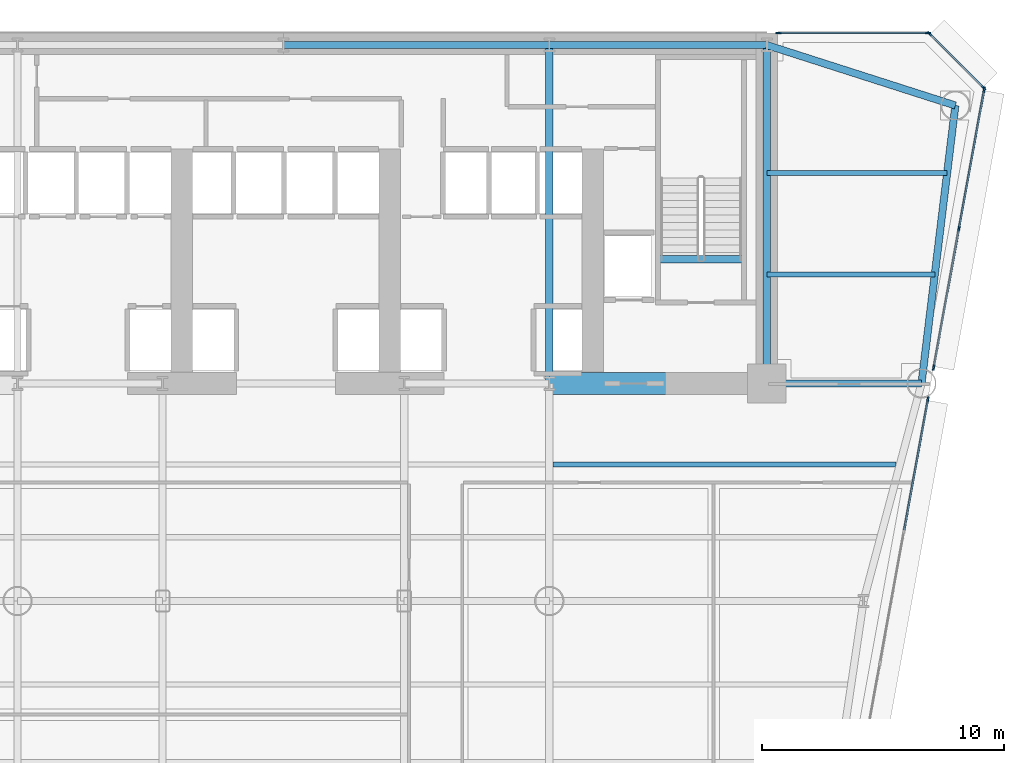
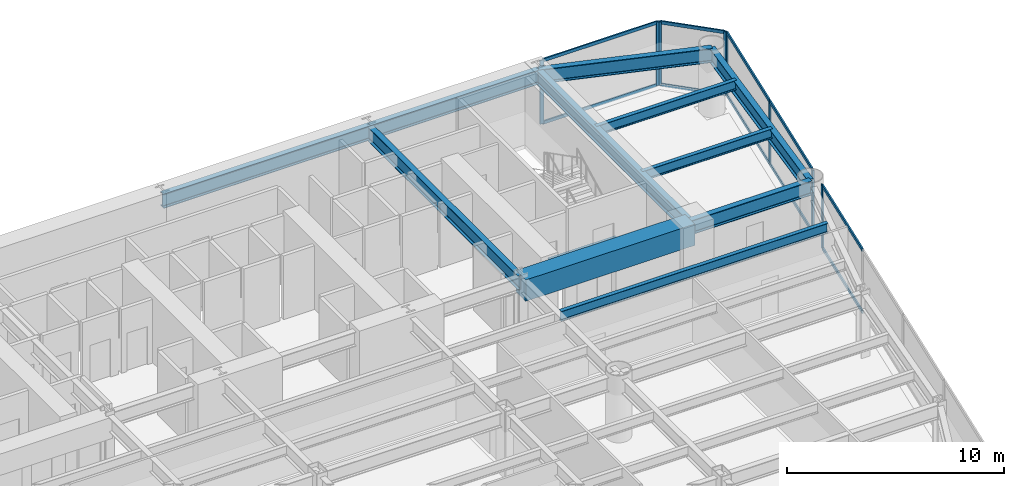
# One storey, part 6 of 14: 18 members, 12 beams, 4 elements without a shape of their own.
"""IFC4 building model written with IfcOpenShell, lengths in metres."""

from ifc_helpers import new_model, si_unit, direction, frame, origin, origin_2d, place, context, subcontext, project, spatial, rectangle, i_section, extrude, source, transform, mapped, material, layer, layer_set, material_profile, profile_set, type_object, element, aggregate, save


model = new_model("IFC4")

# Units and contexts
model_context = context("Model", 3, precision=1e-05, world=origin(), true_north=direction((0.0, 1.0)))
body_context = subcontext(model_context, "Body", "Model", "MODEL_VIEW")
ifc_project = project(units=[si_unit("LENGTHUNIT", "METRE"), si_unit("AREAUNIT", "SQUARE_METRE"), si_unit("VOLUMEUNIT", "CUBIC_METRE"), si_unit("PLANEANGLEUNIT", "RADIAN"), si_unit("MASSUNIT", "GRAM", prefix="KILO")], contexts=[model_context])

# Site, building, storey
site_placement = place(None, origin())
site = spatial("IfcSite", under=ifc_project, at=site_placement, CompositionType="ELEMENT")
building_placement = place(site_placement, origin())
building = spatial("IfcBuilding", under=site, at=building_placement, Name="Vaeldorn Concourse Tower", CompositionType="ELEMENT")
storey_placement = place(building_placement, frame((0.0, 0.0, 30.199951171875)))
storey = spatial("IfcBuildingStorey", under=building, at=storey_placement, Name="L07", CompositionType="ELEMENT", Elevation=30.199951171875)

# Beams
ifc_material_1 = material(Name="Concrete C60/75", Category="concrete")
ifc_material_profile_1 = material_profile(ifc_material_1, rectangle(XDim=0.89990234375, YDim=1.199951171875, at=origin_2d()), Name="RC 900x1200")
ifc_profile_set_1 = profile_set([ifc_material_profile_1], Name="Concrete C60/75")
beam_type_1 = type_object("IfcBeamType", Name="BM-CB-RC900", PredefinedType="BEAM", material=ifc_profile_set_1)
shared_shape_1 = source(origin(), body_context, "Body", "SweptSolid", [
    extrude(rectangle(XDim=0.89990234375, YDim=1.199951171875, at=origin_2d()), origin(), (0.0, 0.0, 1.0), 9.0),
])
beam_1_placement = place(storey_placement, frame((45.0, 36.5, 2.97998046875), z_axis=(1.0, 0.0, 0.0), x_axis=(0.0, 1.0, 0.0)))
element("IfcBeam", 1, at=beam_1_placement, inside=storey, type_object=beam_type_1, Name="Core Coupling Beam L07-2", PredefinedType="BEAM", context=body_context, shape_type="MappedRepresentation", body=[
    mapped(shared_shape_1, transform((0.0, 0.0, 0.0), scale=1.0)),
])
ifc_material_2 = material(Name="Steel S355", Category="steel")
ifc_material_profile_2 = material_profile(ifc_material_2, i_section(OverallWidth=0.300048828125, OverallDepth=0.340087890625, WebThickness=0.011962890625, FlangeThickness=0.021484375, FilletRadius=0.027099609375, at=origin_2d()), Name="HEB 340")
ifc_profile_set_2 = profile_set([ifc_material_profile_2], Name="Steel S355")
beam_type_2 = type_object("IfcBeamType", Name="BM-ST-TRIM", PredefinedType="BEAM", material=ifc_profile_set_2)
shared_shape_2 = source(origin(), body_context, "Body", "SweptSolid", [
    extrude(i_section(OverallWidth=0.300048828125, OverallDepth=0.340087890625, WebThickness=0.011962890625, FlangeThickness=0.021484375, FilletRadius=0.027099609375, at=origin_2d()), origin(), (0.0, 0.0, 1.0), 3.590087890625),
])
beam_2_placement = place(storey_placement, frame((49.47998046875, 41.639892578125, -0.389892578125), z_axis=(1.0, 0.0, 0.0), x_axis=(0.0, 1.0, 0.0)))
element("IfcBeam", 2, at=beam_2_placement, inside=storey, type_object=beam_type_2, Name="Stair Landing Trimmer Beam ST-2 L07", PredefinedType="BEAM", context=body_context, shape_type="MappedRepresentation", body=[
    mapped(shared_shape_2, transform((0.0, 0.0, 0.0), scale=1.0)),
])
ifc_material_profile_3 = material_profile(ifc_material_2, i_section(OverallWidth=0.300048828125, OverallDepth=0.800048828125, WebThickness=0.017578125, FlangeThickness=0.032958984375, FilletRadius=0.030029296875, at=origin_2d()), Name="HEB 800")
ifc_profile_set_3 = profile_set([ifc_material_profile_3], Name="Steel S355")
beam_type_3 = type_object("IfcBeamType", Name="BM-PG-HEB800", PredefinedType="BEAM", material=ifc_profile_set_3)
shared_shape_3 = source(origin(), body_context, "Body", "SweptSolid", [
    extrude(i_section(OverallWidth=0.300048828125, OverallDepth=0.800048828125, WebThickness=0.017578125, FlangeThickness=0.032958984375, FilletRadius=0.030029296875, at=origin_2d()), origin(), (0.0, 0.0, 1.0), 9.0),
])
beam_3_placement = place(storey_placement, frame((45.0, 50.5, 3.179931640625), z_axis=(1.0, 0.0, 0.0), x_axis=(0.0, 1.0, 0.0)))
element("IfcBeam", 3, at=beam_3_placement, inside=storey, type_object=beam_type_3, Name="Beam BM-L07-C-HC4-C-HC5", PredefinedType="BEAM", context=body_context, shape_type="MappedRepresentation", body=[
    mapped(shared_shape_3, transform((0.0, 0.0, 0.0), scale=1.0)),
])
shared_shape_4 = source(origin(), body_context, "Body", "SweptSolid", [
    extrude(i_section(OverallWidth=0.300048828125, OverallDepth=0.800048828125, WebThickness=0.017578125, FlangeThickness=0.032958984375, FilletRadius=0.030029296875, at=origin_2d()), origin(), (0.0, 0.0, 1.0), 11.0),
])
beam_4_placement = place(storey_placement, frame((34.0, 50.5, 3.179931640625), z_axis=(1.0, 0.0, 0.0), x_axis=(0.0, 1.0, 0.0)))
element("IfcBeam", 4, at=beam_4_placement, inside=storey, type_object=beam_type_3, Name="Beam BM-L07-C-HC3-C-HC4", PredefinedType="BEAM", context=body_context, shape_type="MappedRepresentation", body=[
    mapped(shared_shape_4, transform((0.0, 0.0, 0.0), scale=1.0)),
])
shared_shape_5 = source(origin(), body_context, "Body", "SweptSolid", [
    extrude(i_section(OverallWidth=0.300048828125, OverallDepth=0.800048828125, WebThickness=0.017578125, FlangeThickness=0.032958984375, FilletRadius=0.030029296875, at=origin_2d()), origin(), (0.0, 0.0, 1.0), 14.0),
])
for number, where, z_axis, x_axis, name in (
    (5, (45.0, 36.5, 3.179931640625), (0.0, 1.0, 0.0), (-1.0, 0.0, 0.0), "Beam BM-L07-C-FC5-C-HC4"),
    (6, (54.0, 36.5, 3.179931640625), (0.0, 1.0, 0.0), (-1.0, 0.0, 0.0), "Beam BM-L07-C-FC6-C-HC5"),
):
    element("IfcBeam", number, at=place(storey_placement, frame(where, z_axis=z_axis, x_axis=x_axis)), inside=storey, type_object=beam_type_3, Name=name, PredefinedType="BEAM", context=body_context, shape_type="MappedRepresentation", body=[
        mapped(shared_shape_5, transform((0.0, 0.0, 0.0), scale=1.0)),
    ])
shared_shape_6 = source(origin(), body_context, "Body", "SweptSolid", [
    extrude(i_section(OverallWidth=0.300048828125, OverallDepth=0.800048828125, WebThickness=0.017578125, FlangeThickness=0.032958984375, FilletRadius=0.030029296875, at=origin_2d()), origin(), (0.0, 0.0, 1.0), 8.19091796875),
])
beam_5_placement = place(storey_placement, frame((54.0, 50.5, 3.179931640625), z_axis=(0.952282843383, -0.305216949396, 0.0), x_axis=(0.305216949396, 0.952282843383, 0.0)))
element("IfcBeam", 7, at=beam_5_placement, inside=storey, type_object=beam_type_3, Name="Beam BM-L07-C-HC5-C-NE1", PredefinedType="BEAM", context=body_context, shape_type="MappedRepresentation", body=[
    mapped(shared_shape_6, transform((0.0, 0.0, 0.0), scale=1.0)),
])
shared_shape_7 = source(origin(), body_context, "Body", "SweptSolid", [
    extrude(i_section(OverallWidth=0.300048828125, OverallDepth=0.800048828125, WebThickness=0.017578125, FlangeThickness=0.032958984375, FilletRadius=0.030029296875, at=origin_2d()), origin(), (0.0, 0.0, 1.0), 11.5849609375),
])
beam_6_placement = place(storey_placement, frame((61.800048828125, 48.0, 3.179931640625), z_axis=(-0.120859382899, -0.992669637677, 0.0), x_axis=(0.992669637677, -0.120859382899, 0.0)))
element("IfcBeam", 8, at=beam_6_placement, inside=storey, type_object=beam_type_3, Name="Beam BM-L07-C-NE1-C-NE2", PredefinedType="BEAM", context=body_context, shape_type="MappedRepresentation", body=[
    mapped(shared_shape_7, transform((0.0, 0.0, 0.0), scale=1.0)),
])
shared_shape_8 = source(origin(), body_context, "Body", "SweptSolid", [
    extrude(i_section(OverallWidth=0.300048828125, OverallDepth=0.800048828125, WebThickness=0.017578125, FlangeThickness=0.032958984375, FilletRadius=0.030029296875, at=origin_2d()), origin(), (0.0, 0.0, 1.0), 6.39990234375),
])
beam_7_placement = place(storey_placement, frame((54.0, 36.5, 3.179931640625), z_axis=(1.0, 0.0, 0.0), x_axis=(0.0, 1.0, 0.0)))
element("IfcBeam", 9, at=beam_7_placement, inside=storey, type_object=beam_type_3, Name="Beam BM-L07-C-FC6-C-NE2", PredefinedType="BEAM", context=body_context, shape_type="MappedRepresentation", body=[
    mapped(shared_shape_8, transform((0.0, 0.0, 0.0), scale=1.0)),
])
ifc_material_profile_4 = material_profile(ifc_material_2, i_section(OverallWidth=0.2099609375, OverallDepth=0.550048828125, WebThickness=0.010986328125, FlangeThickness=0.01708984375, FilletRadius=0.02392578125, at=origin_2d()), Name="IPE 550")
ifc_profile_set_4 = profile_set([ifc_material_profile_4], Name="Steel S355")
beam_type_4 = type_object("IfcBeamType", Name="BM-JS-IPE550", PredefinedType="JOIST", material=ifc_profile_set_4)
shared_shape_9 = source(origin(), body_context, "Body", "SweptSolid", [
    extrude(i_section(OverallWidth=0.2099609375, OverallDepth=0.550048828125, WebThickness=0.010986328125, FlangeThickness=0.01708984375, FilletRadius=0.02392578125, at=origin_2d()), origin(), (0.0, 0.0, 1.0), 6.94775390625),
])
beam_8_placement = place(storey_placement, frame((54.0, 41.0, 3.304931640625), z_axis=(1.0, 0.0, 0.0), x_axis=(0.0, 1.0, 0.0)))
element("IfcBeam", 10, at=beam_8_placement, inside=storey, type_object=beam_type_4, Name="Beam JS-L07-NE-410", PredefinedType="JOIST", context=body_context, shape_type="MappedRepresentation", body=[
    mapped(shared_shape_9, transform((0.0, 0.0, 0.0), scale=1.0)),
])
shared_shape_10 = source(origin(), body_context, "Body", "SweptSolid", [
    extrude(i_section(OverallWidth=0.2099609375, OverallDepth=0.550048828125, WebThickness=0.010986328125, FlangeThickness=0.01708984375, FilletRadius=0.02392578125, at=origin_2d()), origin(), (0.0, 0.0, 1.0), 7.458984375),
])
beam_9_placement = place(storey_placement, frame((54.0, 45.199951171875, 3.304931640625), z_axis=(1.0, 0.0, 0.0), x_axis=(0.0, 1.0, 0.0)))
element("IfcBeam", 11, at=beam_9_placement, inside=storey, type_object=beam_type_4, Name="Beam JS-L07-NE-452", PredefinedType="JOIST", context=body_context, shape_type="MappedRepresentation", body=[
    mapped(shared_shape_10, transform((0.0, 0.0, 0.0), scale=1.0)),
])
shared_shape_11 = source(origin(), body_context, "Body", "SweptSolid", [
    extrude(i_section(OverallWidth=0.2099609375, OverallDepth=0.550048828125, WebThickness=0.010986328125, FlangeThickness=0.01708984375, FilletRadius=0.02392578125, at=origin_2d()), origin(), (0.0, 0.0, 1.0), 14.2041015625),
])
beam_10_placement = place(storey_placement, frame((45.14990234375, 33.139892578125, 3.304931640625), z_axis=(1.0, 0.0, 0.0), x_axis=(0.0, 1.0, 0.0)))
element("IfcBeam", 12, at=beam_10_placement, inside=storey, type_object=beam_type_4, Name="Beam JS-L07-E1-331", PredefinedType="JOIST", context=body_context, shape_type="MappedRepresentation", body=[
    mapped(shared_shape_11, transform((0.0, 0.0, 0.0), scale=1.0)),
])

# Curtain wall, members
ifc_material_3 = material(Name="Anodised Bronze Aluminium", Category="aluminium")
ifc_layer = layer(ifc_material_3, 0.219970703125)
ifc_layer_set = layer_set([ifc_layer], Name="Anodised Bronze Aluminium")
curtain_wall_type = type_object("IfcCurtainWallType", Name="CW-SYS-01", PredefinedType="NOTDEFINED", material=ifc_layer_set)
curtain_wall_1_placement = place(storey_placement, origin())
curtain_wall_1 = element("IfcCurtainWall", 13, at=curtain_wall_1_placement, inside=storey, type_object=curtain_wall_type, Name="Unitised Curtain Wall CW-L07-E08-1", PredefinedType="NOTDEFINED")
ifc_material_profile_5 = material_profile(ifc_material_3, rectangle(XDim=0.074951171875, YDim=0.179931640625, at=origin_2d()), Name="CWT 75x180")
ifc_profile_set_5 = profile_set([ifc_material_profile_5], Name="Anodised Bronze Aluminium")
member_type_1 = type_object("IfcMemberType", Name="CWT-BRONZE-180", PredefinedType="USERDEFINED", material=ifc_profile_set_5)
shared_shape_12 = source(origin(), body_context, "Body", "SweptSolid", [
    extrude(rectangle(XDim=0.074951171875, YDim=0.179931640625, at=origin_2d()), origin(), (0.0, 0.0, 1.0), 3.10302734375),
])
member_1_placement = place(storey_placement, frame((62.947021484375, 48.7529296875, 0.03759765625), z_axis=(-0.707106781187, 0.707106781187, 0.0), x_axis=(-0.707106781187, -0.707106781187, 0.0)))
member_1 = element("IfcMember", 14, at=member_1_placement, type_object=member_type_1, Name="CW-01 transom 1.1", ObjectType="TRANSOM", PredefinedType="USERDEFINED", context=body_context, shape_type="MappedRepresentation", body=[
    mapped(shared_shape_12, transform((0.0, 0.0, 0.0), scale=1.0)),
])
member_2_placement = place(storey_placement, frame((62.947021484375, 48.7529296875, 3.54248046875), z_axis=(-0.707106781187, 0.707106781187, 0.0), x_axis=(-0.707106781187, -0.707106781187, 0.0)))
member_2 = element("IfcMember", 15, at=member_2_placement, type_object=member_type_1, Name="CW-01 transom 1.2", ObjectType="TRANSOM", PredefinedType="USERDEFINED", context=body_context, shape_type="MappedRepresentation", body=[
    mapped(shared_shape_12, transform((0.0, 0.0, 0.0), scale=1.0)),
])

curtain_wall_2_placement = place(storey_placement, origin())
curtain_wall_2 = element("IfcCurtainWall", 16, at=curtain_wall_2_placement, inside=storey, type_object=curtain_wall_type, Name="Unitised Curtain Wall CW-L07-E09-1", PredefinedType="NOTDEFINED")
shared_shape_13 = source(origin(), body_context, "Body", "SweptSolid", [
    extrude(rectangle(XDim=0.074951171875, YDim=0.179931640625, at=origin_2d()), origin(), (0.0, 0.0, 1.0), 6.10498046875),
])
member_3_placement = place(storey_placement, frame((60.625, 51.0, 0.03759765625), z_axis=(-1.0, 0.0, 0.0), x_axis=(0.0, -1.0, 0.0)))
member_3 = element("IfcMember", 17, at=member_3_placement, type_object=member_type_1, Name="CW-01 transom 1.1", ObjectType="TRANSOM", PredefinedType="USERDEFINED", context=body_context, shape_type="MappedRepresentation", body=[
    mapped(shared_shape_13, transform((0.0, 0.0, 0.0), scale=1.0)),
])
member_4_placement = place(storey_placement, frame((60.625, 51.0, 3.54248046875), z_axis=(-1.0, 0.0, 0.0), x_axis=(0.0, -1.0, 0.0)))
member_4 = element("IfcMember", 18, at=member_4_placement, type_object=member_type_1, Name="CW-01 transom 1.2", ObjectType="TRANSOM", PredefinedType="USERDEFINED", context=body_context, shape_type="MappedRepresentation", body=[
    mapped(shared_shape_13, transform((0.0, 0.0, 0.0), scale=1.0)),
])

curtain_wall_3_placement = place(storey_placement, origin())
curtain_wall_3 = element("IfcCurtainWall", 19, at=curtain_wall_3_placement, inside=storey, type_object=curtain_wall_type, Name="Unitised Curtain Wall CW-L07-E07-2", PredefinedType="NOTDEFINED")
shared_shape_14 = source(origin(), body_context, "Body", "SweptSolid", [
    extrude(rectangle(XDim=0.074951171875, YDim=0.179931640625, at=origin_2d()), origin(), (0.0, 0.0, 1.0), 5.7724609375),
])
member_5_placement = place(storey_placement, frame((60.91015625, 37.193359375, 0.03759765625), z_axis=(0.178695615717, 0.983904404362, 0.0), x_axis=(-0.983904404362, 0.178695615717, 0.0)))
member_5 = element("IfcMember", 20, at=member_5_placement, type_object=member_type_1, Name="CW-01 transom 1.1", ObjectType="TRANSOM", PredefinedType="USERDEFINED", context=body_context, shape_type="MappedRepresentation", body=[
    mapped(shared_shape_14, transform((0.0, 0.0, 0.0), scale=1.0)),
])
member_6_placement = place(storey_placement, frame((60.91015625, 37.193359375, 3.54248046875), z_axis=(0.178695615717, 0.983904404362, 0.0), x_axis=(-0.983904404362, 0.178695615717, 0.0)))
member_6 = element("IfcMember", 21, at=member_6_placement, type_object=member_type_1, Name="CW-01 transom 1.2", ObjectType="TRANSOM", PredefinedType="USERDEFINED", context=body_context, shape_type="MappedRepresentation", body=[
    mapped(shared_shape_14, transform((0.0, 0.0, 0.0), scale=1.0)),
])

# Curtain wall, member
curtain_wall_4_placement = place(storey_placement, origin())
curtain_wall_4 = element("IfcCurtainWall", 22, at=curtain_wall_4_placement, inside=storey, type_object=curtain_wall_type, Name="Unitised Curtain Wall CW-L07-E07-1", PredefinedType="NOTDEFINED")
ifc_material_profile_6 = material_profile(ifc_material_3, rectangle(XDim=0.074951171875, YDim=0.219970703125, at=origin_2d()), Name="CWM 75x220")
ifc_profile_set_6 = profile_set([ifc_material_profile_6], Name="Anodised Bronze Aluminium")
member_type_2 = type_object("IfcMemberType", Name="CWM-BRONZE-220", PredefinedType="MULLION", material=ifc_profile_set_6)
shared_shape_15 = source(origin(), body_context, "Body", "SweptSolid", [
    extrude(rectangle(XDim=0.074951171875, YDim=0.219970703125, at=origin_2d()), origin(), (0.0, 0.0, 1.0), 3.580078125),
])
member_7_placement = place(storey_placement, frame((60.6650390625, 35.843505859375, 0.0), z_axis=(0.0, 0.0, 1.0), x_axis=(-0.98390490828, 0.178692841107, 0.0)))
member_7 = element("IfcMember", 23, at=member_7_placement, type_object=member_type_2, Name="CW-01 mullion 7", PredefinedType="MULLION", context=body_context, shape_type="MappedRepresentation", body=[
    mapped(shared_shape_15, transform((0.0, 0.0, 0.0), scale=1.0)),
])

# Member
member_8_placement = place(storey_placement, frame((60.903564453125, 37.156494140625, 0.0), z_axis=(0.0, 0.0, 1.0), x_axis=(-0.983904963594, 0.178692536538, 0.0)))
member_8 = element("IfcMember", 24, at=member_8_placement, type_object=member_type_2, Name="CW-01 mullion 1", PredefinedType="MULLION", context=body_context, shape_type="MappedRepresentation", body=[
    mapped(shared_shape_15, transform((0.0, 0.0, 0.0), scale=1.0)),
])

member_9_placement = place(storey_placement, frame((61.948486328125, 42.90966796875, 0.0), z_axis=(0.0, 0.0, 1.0), x_axis=(-0.983904963594, 0.178692536538, 0.0)))
member_9 = element("IfcMember", 25, at=member_9_placement, type_object=member_type_2, Name="CW-01 mullion 2", PredefinedType="MULLION", context=body_context, shape_type="MappedRepresentation", body=[
    mapped(shared_shape_15, transform((0.0, 0.0, 0.0), scale=1.0)),
])

member_10_placement = place(storey_placement, frame((62.993408203125, 48.6630859375, 0.0), z_axis=(0.0, 0.0, 1.0), x_axis=(-0.983904963594, 0.178692536538, 0.0)))
member_10 = element("IfcMember", 26, at=member_10_placement, type_object=member_type_2, Name="CW-01 mullion 3", PredefinedType="MULLION", context=body_context, shape_type="MappedRepresentation", body=[
    mapped(shared_shape_15, transform((0.0, 0.0, 0.0), scale=1.0)),
])

member_11_placement = place(storey_placement, frame((62.973388671875, 48.7265625, 0.0), z_axis=(0.0, 0.0, 1.0), x_axis=(-0.707106781187, -0.707106781187, 0.0)))
member_11 = element("IfcMember", 27, at=member_11_placement, type_object=member_type_2, Name="CW-01 mullion 1", PredefinedType="MULLION", context=body_context, shape_type="MappedRepresentation", body=[
    mapped(shared_shape_15, transform((0.0, 0.0, 0.0), scale=1.0)),
])

member_12_placement = place(storey_placement, frame((60.7265625, 50.973388671875, 0.0), z_axis=(0.0, 0.0, 1.0), x_axis=(-0.707106781187, -0.707106781187, 0.0)))
member_12 = element("IfcMember", 28, at=member_12_placement, type_object=member_type_2, Name="CW-01 mullion 2", PredefinedType="MULLION", context=body_context, shape_type="MappedRepresentation", body=[
    mapped(shared_shape_15, transform((0.0, 0.0, 0.0), scale=1.0)),
])

aggregate(curtain_wall_1, [member_11, member_12, member_1, member_2])

member_13_placement = place(storey_placement, frame((60.66259765625, 51.0, 0.0), z_axis=(0.0, 0.0, 1.0), x_axis=(0.0, -1.0, 0.0)))
member_13 = element("IfcMember", 29, at=member_13_placement, type_object=member_type_2, Name="CW-01 mullion 1", PredefinedType="MULLION", context=body_context, shape_type="MappedRepresentation", body=[
    mapped(shared_shape_15, transform((0.0, 0.0, 0.0), scale=1.0)),
])

member_14_placement = place(storey_placement, frame((54.482421875, 51.0, 0.0), z_axis=(0.0, 0.0, 1.0), x_axis=(0.0, -1.0, 0.0)))
member_14 = element("IfcMember", 30, at=member_14_placement, type_object=member_type_2, Name="CW-01 mullion 2", PredefinedType="MULLION", context=body_context, shape_type="MappedRepresentation", body=[
    mapped(shared_shape_15, transform((0.0, 0.0, 0.0), scale=1.0)),
])

aggregate(curtain_wall_2, [member_13, member_14, member_3, member_4])

shared_shape_16 = source(origin(), body_context, "Body", "SweptSolid", [
    extrude(rectangle(XDim=0.074951171875, YDim=0.179931640625, at=origin_2d()), origin(), (0.0, 0.0, 1.0), 5.454345703125),
])
member_15_placement = place(storey_placement, frame((59.683837890625, 30.440185546875, 0.03759765625), z_axis=(0.178688483382, 0.983905699702, 0.0), x_axis=(-0.983905699702, 0.178688483382, 0.0)))
member_15 = element("IfcMember", 31, at=member_15_placement, type_object=member_type_1, Name="CW-01 transom 6.1", ObjectType="TRANSOM", PredefinedType="USERDEFINED", context=body_context, shape_type="MappedRepresentation", body=[
    mapped(shared_shape_16, transform((0.0, 0.0, 0.0), scale=1.0)),
])

member_16_placement = place(storey_placement, frame((59.683837890625, 30.440185546875, 3.54248046875), z_axis=(0.178688483382, 0.983905699702, 0.0), x_axis=(-0.983905699702, 0.178688483382, 0.0)))
member_16 = element("IfcMember", 32, at=member_16_placement, type_object=member_type_1, Name="CW-01 transom 6.2", ObjectType="TRANSOM", PredefinedType="USERDEFINED", context=body_context, shape_type="MappedRepresentation", body=[
    mapped(shared_shape_16, transform((0.0, 0.0, 0.0), scale=1.0)),
])

aggregate(curtain_wall_4, [member_7, member_15, member_16])

shared_shape_17 = source(origin(), body_context, "Body", "SweptSolid", [
    extrude(rectangle(XDim=0.074951171875, YDim=0.179931640625, at=origin_2d()), origin(), (0.0, 0.0, 1.0), 5.772705078125),
])
member_17_placement = place(storey_placement, frame((61.955078125, 42.946533203125, 0.03759765625), z_axis=(0.178688179772, 0.983905754841, 0.0), x_axis=(-0.983905754841, 0.178688179772, 0.0)))
member_17 = element("IfcMember", 33, at=member_17_placement, type_object=member_type_1, Name="CW-01 transom 2.1", ObjectType="TRANSOM", PredefinedType="USERDEFINED", context=body_context, shape_type="MappedRepresentation", body=[
    mapped(shared_shape_17, transform((0.0, 0.0, 0.0), scale=1.0)),
])

member_18_placement = place(storey_placement, frame((61.955078125, 42.946533203125, 3.54248046875), z_axis=(0.178688179772, 0.983905754841, 0.0), x_axis=(-0.983905754841, 0.178688179772, 0.0)))
member_18 = element("IfcMember", 34, at=member_18_placement, type_object=member_type_1, Name="CW-01 transom 2.2", ObjectType="TRANSOM", PredefinedType="USERDEFINED", context=body_context, shape_type="MappedRepresentation", body=[
    mapped(shared_shape_17, transform((0.0, 0.0, 0.0), scale=1.0)),
])

aggregate(curtain_wall_3, [member_8, member_9, member_10, member_5, member_6, member_17, member_18])

save(model, "model.ifc")
